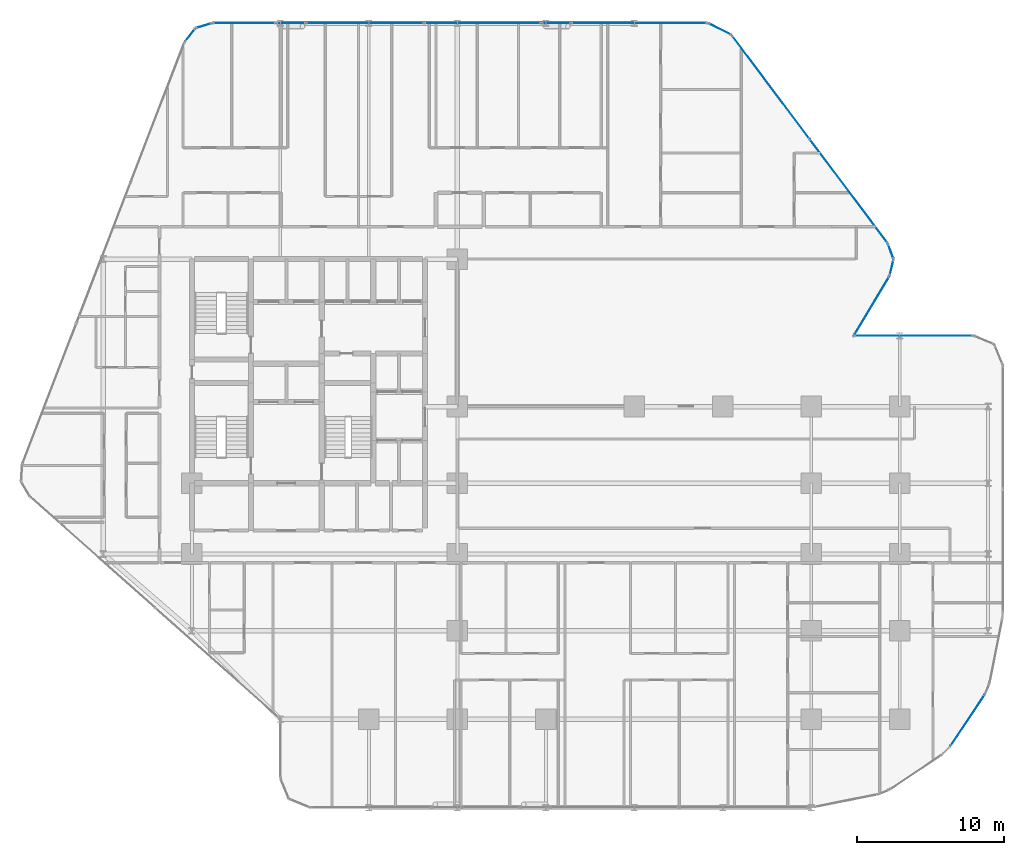
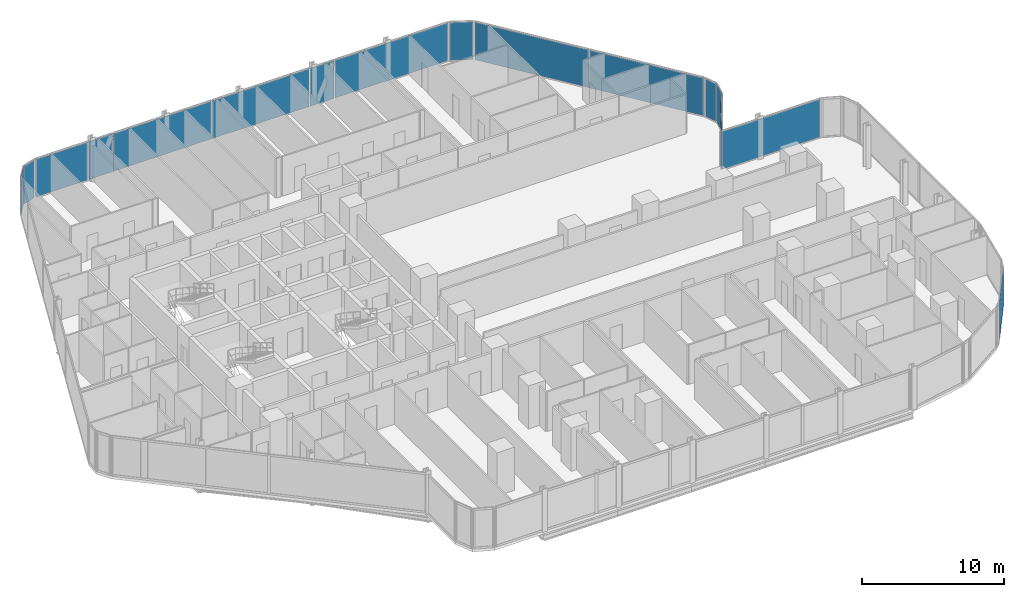
# One storey, part 24 of 33: 16 plates, 14 elements without a shape of their own.
"""IFC4 building model written with IfcOpenShell, lengths in metres."""

from ifc_helpers import new_model, si_unit, direction, frame, origin, origin_2d, place, context, subcontext, project, spatial, rectangle, extrude, material, layer, layer_set, type_object, element, aggregate, save


model = new_model("IFC4")

# Units and contexts
model_context = context("Model", 3, precision=1e-05, world=origin(), true_north=direction((0.0, 1.0)))
body_context = subcontext(model_context, "Body", "Model", "MODEL_VIEW")
ifc_project = project(units=[si_unit("LENGTHUNIT", "METRE"), si_unit("AREAUNIT", "SQUARE_METRE"), si_unit("VOLUMEUNIT", "CUBIC_METRE"), si_unit("PLANEANGLEUNIT", "RADIAN"), si_unit("MASSUNIT", "GRAM", prefix="KILO")], contexts=[model_context])

# Site, building, storey
site_placement = place(None, origin())
site = spatial("IfcSite", under=ifc_project, at=site_placement, CompositionType="ELEMENT")
building_placement = place(site_placement, origin())
building = spatial("IfcBuilding", under=site, at=building_placement, Name="Keshet Zoharim Tower", CompositionType="ELEMENT")
storey_placement = place(building_placement, frame((0.0, 0.0, 49.89990234375)))
storey = spatial("IfcBuildingStorey", under=building, at=storey_placement, Name="L11", CompositionType="ELEMENT", Elevation=49.89990234375)

# Curtain wall, plate
ifc_material_1 = material(Name="Aluminium 6063-T6", Category="aluminium")
ifc_layer_1 = layer(ifc_material_1, 0.179931640625)
ifc_layer_set_1 = layer_set([ifc_layer_1], Name="Aluminium 6063-T6")
curtain_wall_type_1 = type_object("IfcCurtainWallType", Name="CW-SYS-01", PredefinedType="NOTDEFINED", material=ifc_layer_set_1)
curtain_wall_1_placement = place(storey_placement, origin())
curtain_wall_1 = element("IfcCurtainWall", 1, at=curtain_wall_1_placement, inside=storey, type_object=curtain_wall_type_1, Name="L11 Unitised Curtain Wall 05", PredefinedType="NOTDEFINED")
ifc_material_2 = material(Name="Insulated Low-E Clear Glass", Category="glass")
ifc_layer_2 = layer(ifc_material_2, 0.035888671875)
ifc_layer_set_2 = layer_set([ifc_layer_2], Name="Insulated Low-E Clear Glass")
plate_type_1 = type_object("IfcPlateType", Name="CWP-01", PredefinedType="CURTAIN_PANEL", material=ifc_layer_set_2)
plate_1_placement = place(storey_placement, frame((14.8740234375, 53.08349609375, 0.070068359375), z_axis=(0.0, 0.0, 1.0), x_axis=(0.619124525989, 0.785292825205, 0.0)))
plate_1 = element("IfcPlate", 2, at=plate_1_placement, type_object=plate_type_1, Name="CW-01 panel 1.1", PredefinedType="CURTAIN_PANEL", context=body_context, shape_type="SweptSolid", body=[
    extrude(rectangle(XDim=1.045654296875, YDim=0.035888671875, at=origin_2d()), origin(), (0.0, 0.0, 1.0), 3.2451171875),
])
aggregate(curtain_wall_1, [plate_1])

curtain_wall_2_placement = place(storey_placement, origin())
curtain_wall_2 = element("IfcCurtainWall", 3, at=curtain_wall_2_placement, inside=storey, type_object=curtain_wall_type_1, Name="L11 Unitised Curtain Wall 06", PredefinedType="NOTDEFINED")
plate_2_placement = place(storey_placement, frame((15.8076171875, 53.724609375, 0.070068359375), z_axis=(0.0, 0.0, 1.0), x_axis=(0.955212151288, 0.295921857984, 0.0)))
plate_2 = element("IfcPlate", 4, at=plate_2_placement, type_object=plate_type_1, Name="CW-01 panel 1.1", PredefinedType="CURTAIN_PANEL", context=body_context, shape_type="SweptSolid", body=[
    extrude(rectangle(XDim=1.046142578125, YDim=0.035888671875, at=origin_2d()), origin(), (0.0, 0.0, 1.0), 3.2451171875),
])
aggregate(curtain_wall_2, [plate_2])

curtain_wall_3_placement = place(storey_placement, origin())
curtain_wall_3 = element("IfcCurtainWall", 5, at=curtain_wall_3_placement, inside=storey, type_object=curtain_wall_type_1, Name="L11 Unitised Curtain Wall 12", PredefinedType="NOTDEFINED")
plate_3_placement = place(storey_placement, frame((61.093994140625, 34.723388671875, 0.070068359375), z_axis=(0.0, 0.0, 1.0), x_axis=(-0.51446459506, -0.857511621163, 0.0)))
plate_3 = element("IfcPlate", 6, at=plate_3_placement, type_object=plate_type_1, Name="CW-01 panel 1.1", PredefinedType="CURTAIN_PANEL", context=body_context, shape_type="SweptSolid", body=[
    extrude(rectangle(XDim=4.57958984375, YDim=0.035888671875, at=origin_2d()), origin(), (0.0, 0.0, 1.0), 3.2451171875),
])
aggregate(curtain_wall_3, [plate_3])

curtain_wall_4_placement = place(storey_placement, origin())
curtain_wall_4 = element("IfcCurtainWall", 7, at=curtain_wall_4_placement, inside=storey, type_object=curtain_wall_type_1, Name="L11 Unitised Curtain Wall 20", PredefinedType="NOTDEFINED")
plate_4_placement = place(storey_placement, frame((67.60107421875, 6.615966796875, 0.070068359375), z_axis=(0.0, 0.0, 1.0), x_axis=(-0.555563243758, -0.831474282335, 0.0)))
plate_4 = element("IfcPlate", 8, at=plate_4_placement, type_object=plate_type_1, Name="CW-01 panel 1.1", PredefinedType="CURTAIN_PANEL", context=body_context, shape_type="SweptSolid", body=[
    extrude(rectangle(XDim=4.13671875, YDim=0.035888671875, at=origin_2d()), origin(), (0.0, 0.0, 1.0), 3.2451171875),
])
aggregate(curtain_wall_4, [plate_4])

ifc_layer_3 = layer(ifc_material_1, 0.169921875)
ifc_layer_set_3 = layer_set([ifc_layer_3], Name="Aluminium 6063-T6")
curtain_wall_type_2 = type_object("IfcCurtainWallType", Name="CW-SYS-02", PredefinedType="NOTDEFINED", material=ifc_layer_set_3)
curtain_wall_5_placement = place(storey_placement, origin())
curtain_wall_5 = element("IfcCurtainWall", 9, at=curtain_wall_5_placement, inside=storey, type_object=curtain_wall_type_2, Name="L11 Unitised Curtain Wall 07", PredefinedType="NOTDEFINED")
ifc_layer_4 = layer(ifc_material_2, 0.031982421875)
ifc_layer_set_4 = layer_set([ifc_layer_4], Name="Insulated Low-E Clear Glass")
plate_type_2 = type_object("IfcPlateType", Name="CWP-02", PredefinedType="CURTAIN_PANEL", material=ifc_layer_set_4)
plate_5_placement = place(storey_placement, frame((18.5556640625, 53.89990234375, 0.070068359375), z_axis=(0.0, 0.0, 1.0), x_axis=(1.0, 0.0, 0.0)))
plate_5 = element("IfcPlate", 10, at=plate_5_placement, type_object=plate_type_2, Name="CW-02 panel 1.1", PredefinedType="CURTAIN_PANEL", context=body_context, shape_type="SweptSolid", body=[
    extrude(rectangle(XDim=4.223388671875, YDim=0.031982421875, at=origin_2d()), origin(), (0.0, 0.0, 1.0), 3.2451171875),
])
aggregate(curtain_wall_5, [plate_5])

# Curtain wall, plates
curtain_wall_6_placement = place(storey_placement, origin())
curtain_wall_6 = element("IfcCurtainWall", 11, at=curtain_wall_6_placement, inside=storey, type_object=curtain_wall_type_2, Name="L11 Unitised Curtain Wall 07 Part 3", PredefinedType="NOTDEFINED")
plate_6_placement = place(storey_placement, frame((26.73876953125, 53.89990234375, 0.070068359375), z_axis=(0.0, 0.0, 1.0), x_axis=(1.0, 0.0, 0.0)))
plate_6 = element("IfcPlate", 12, at=plate_6_placement, type_object=plate_type_2, Name="CW-02 panel 1.1", PredefinedType="CURTAIN_PANEL", context=body_context, shape_type="SweptSolid", body=[
    extrude(rectangle(XDim=7.952392578125, YDim=0.031982421875, at=origin_2d()), origin(), (0.0, 0.0, 1.0), 3.2451171875),
])
plate_7_placement = place(storey_placement, frame((34.726318359375, 53.89990234375, 0.070068359375), z_axis=(0.0, 0.0, 1.0), x_axis=(1.0, 0.0, 0.0)))
plate_7 = element("IfcPlate", 13, at=plate_7_placement, type_object=plate_type_2, Name="CW-02 panel 2.1", PredefinedType="CURTAIN_PANEL", context=body_context, shape_type="SweptSolid", body=[
    extrude(rectangle(XDim=7.88232421875, YDim=0.031982421875, at=origin_2d()), origin(), (0.0, 0.0, 1.0), 3.2451171875),
])
aggregate(curtain_wall_6, [plate_6, plate_7])

# Curtain wall, plate
curtain_wall_7_placement = place(storey_placement, origin())
curtain_wall_7 = element("IfcCurtainWall", 14, at=curtain_wall_7_placement, inside=storey, type_object=curtain_wall_type_2, Name="L11 Unitised Curtain Wall 07 Part 5", PredefinedType="NOTDEFINED")
plate_8_placement = place(storey_placement, frame((45.34619140625, 53.89990234375, 0.070068359375), z_axis=(0.0, 0.0, 1.0), x_axis=(1.0, 0.0, 0.0)))
plate_8 = element("IfcPlate", 15, at=plate_8_placement, type_object=plate_type_2, Name="CW-02 panel 1.1", PredefinedType="CURTAIN_PANEL", context=body_context, shape_type="SweptSolid", body=[
    extrude(rectangle(XDim=9.16748046875, YDim=0.031982421875, at=origin_2d()), origin(), (0.0, 0.0, 1.0), 3.2451171875),
])
aggregate(curtain_wall_7, [plate_8])

curtain_wall_8_placement = place(storey_placement, origin())
curtain_wall_8 = element("IfcCurtainWall", 16, at=curtain_wall_8_placement, inside=storey, type_object=curtain_wall_type_2, Name="L11 Unitised Curtain Wall 08", PredefinedType="NOTDEFINED")
plate_9_placement = place(storey_placement, frame((50.800048828125, 53.5, 0.070068359375), z_axis=(0.0, 0.0, 1.0), x_axis=(0.894427191001, -0.447213595499, 0.0)))
plate_9 = element("IfcPlate", 17, at=plate_9_placement, type_object=plate_type_2, Name="CW-02 panel 1.1", PredefinedType="CURTAIN_PANEL", context=body_context, shape_type="SweptSolid", body=[
    extrude(rectangle(XDim=1.64892578125, YDim=0.031982421875, at=origin_2d()), origin(), (0.0, 0.0, 1.0), 3.2451171875),
])
aggregate(curtain_wall_8, [plate_9])

# Curtain wall, plates
curtain_wall_9_placement = place(storey_placement, origin())
curtain_wall_9 = element("IfcCurtainWall", 18, at=curtain_wall_9_placement, inside=storey, type_object=curtain_wall_type_2, Name="L11 Unitised Curtain Wall 09", PredefinedType="NOTDEFINED")
plate_10_placement = place(storey_placement, frame((54.2587890625, 49.554931640625, 0.070068359375), z_axis=(0.0, 0.0, 1.0), x_axis=(0.600000000002, -0.799999999998, 0.0)))
plate_10 = element("IfcPlate", 19, at=plate_10_placement, type_object=plate_type_2, Name="CW-02 panel 1.1", PredefinedType="CURTAIN_PANEL", context=body_context, shape_type="SweptSolid", body=[
    extrude(rectangle(XDim=8.722412109375, YDim=0.031982421875, at=origin_2d()), origin(), (0.0, 0.0, 1.0), 3.2451171875),
])
plate_11_placement = place(storey_placement, frame((59.5341796875, 42.52099609375, 0.070068359375), z_axis=(0.0, 0.0, 1.0), x_axis=(0.600000000002, -0.799999999998, 0.0)))
plate_11 = element("IfcPlate", 20, at=plate_11_placement, type_object=plate_type_2, Name="CW-02 panel 2.1", PredefinedType="CURTAIN_PANEL", context=body_context, shape_type="SweptSolid", body=[
    extrude(rectangle(XDim=8.722412109375, YDim=0.031982421875, at=origin_2d()), origin(), (0.0, 0.0, 1.0), 3.2451171875),
])
aggregate(curtain_wall_9, [plate_10, plate_11])

# Curtain wall, plate
curtain_wall_10_placement = place(storey_placement, origin())
curtain_wall_10 = element("IfcCurtainWall", 21, at=curtain_wall_10_placement, inside=storey, type_object=curtain_wall_type_2, Name="L11 Unitised Curtain Wall 10", PredefinedType="NOTDEFINED")
plate_12_placement = place(storey_placement, frame((62.3916015625, 38.427490234375, 0.070068359375), z_axis=(0.0, 0.0, 1.0), x_axis=(0.340297354046, -0.940317877544, 0.0)))
plate_12 = element("IfcPlate", 22, at=plate_12_placement, type_object=plate_type_2, Name="CW-02 panel 1.1", PredefinedType="CURTAIN_PANEL", context=body_context, shape_type="SweptSolid", body=[
    extrude(rectangle(XDim=1.026611328125, YDim=0.031982421875, at=origin_2d()), origin(), (0.0, 0.0, 1.0), 3.2451171875),
])
aggregate(curtain_wall_10, [plate_12])

curtain_wall_11_placement = place(storey_placement, origin())
curtain_wall_11 = element("IfcCurtainWall", 23, at=curtain_wall_11_placement, inside=storey, type_object=curtain_wall_type_2, Name="L11 Unitised Curtain Wall 11", PredefinedType="NOTDEFINED")
plate_13_placement = place(storey_placement, frame((62.448974609375, 37.31298828125, 0.070068359375), z_axis=(0.0, 0.0, 1.0), x_axis=(-0.241728770141, -0.970343857447, 0.0)))
plate_13 = element("IfcPlate", 24, at=plate_13_placement, type_object=plate_type_2, Name="CW-02 panel 1.1", PredefinedType="CURTAIN_PANEL", context=body_context, shape_type="SweptSolid", body=[
    extrude(rectangle(XDim=1.026611328125, YDim=0.031982421875, at=origin_2d()), origin(), (0.0, 0.0, 1.0), 3.2451171875),
])
aggregate(curtain_wall_11, [plate_13])

curtain_wall_12_placement = place(storey_placement, origin())
curtain_wall_12 = element("IfcCurtainWall", 25, at=curtain_wall_12_placement, inside=storey, type_object=curtain_wall_type_2, Name="L11 Unitised Curtain Wall 13", PredefinedType="NOTDEFINED")
plate_14_placement = place(storey_placement, frame((63.93994140625, 32.699951171875, 0.070068359375), z_axis=(0.0, 0.0, 1.0), x_axis=(1.0, 0.0, 0.0)))
plate_14 = element("IfcPlate", 26, at=plate_14_placement, type_object=plate_type_2, Name="CW-02 panel 1.1", PredefinedType="CURTAIN_PANEL", context=body_context, shape_type="SweptSolid", body=[
    extrude(rectangle(XDim=7.97998046875, YDim=0.031982421875, at=origin_2d()), origin(), (0.0, 0.0, 1.0), 3.2451171875),
])
aggregate(curtain_wall_12, [plate_14])

curtain_wall_13_placement = place(storey_placement, origin())
curtain_wall_13 = element("IfcCurtainWall", 27, at=curtain_wall_13_placement, inside=storey, type_object=curtain_wall_type_2, Name="L11 Unitised Curtain Wall 07 Part 2", PredefinedType="NOTDEFINED")
ifc_material_3 = material(Name="Insulated Aluminium Spandrel Panel", Category="aluminium")
ifc_layer_5 = layer(ifc_material_3, 0.031982421875)
ifc_layer_set_5 = layer_set([ifc_layer_5], Name="Insulated Aluminium Spandrel Panel")
plate_type_3 = type_object("IfcPlateType", Name="CWP-05", PredefinedType="CURTAIN_PANEL", material=ifc_layer_set_5)
plate_15_placement = place(storey_placement, frame((21.715087890625, 53.89990234375, 0.070068359375), z_axis=(0.0, 0.0, 1.0), x_axis=(1.0, 0.0, 0.0)))
plate_15 = element("IfcPlate", 28, at=plate_15_placement, type_object=plate_type_3, Name="CW-02 spandrel panel 1.1", PredefinedType="CURTAIN_PANEL", context=body_context, shape_type="SweptSolid", body=[
    extrude(rectangle(XDim=1.955078125, YDim=0.031982421875, at=origin_2d()), origin(), (0.0, 0.0, 1.0), 3.2451171875),
])
aggregate(curtain_wall_13, [plate_15])

curtain_wall_14_placement = place(storey_placement, origin())
curtain_wall_14 = element("IfcCurtainWall", 29, at=curtain_wall_14_placement, inside=storey, type_object=curtain_wall_type_2, Name="L11 Unitised Curtain Wall 07 Part 4", PredefinedType="NOTDEFINED")
plate_16_placement = place(storey_placement, frame((39.715087890625, 53.89990234375, 0.070068359375), z_axis=(0.0, 0.0, 1.0), x_axis=(1.0, 0.0, 0.0)))
plate_16 = element("IfcPlate", 30, at=plate_16_placement, type_object=plate_type_3, Name="CW-02 spandrel panel 1.1", PredefinedType="CURTAIN_PANEL", context=body_context, shape_type="SweptSolid", body=[
    extrude(rectangle(XDim=1.955078125, YDim=0.031982421875, at=origin_2d()), origin(), (0.0, 0.0, 1.0), 3.2451171875),
])
aggregate(curtain_wall_14, [plate_16])

save(model, "model.ifc")
